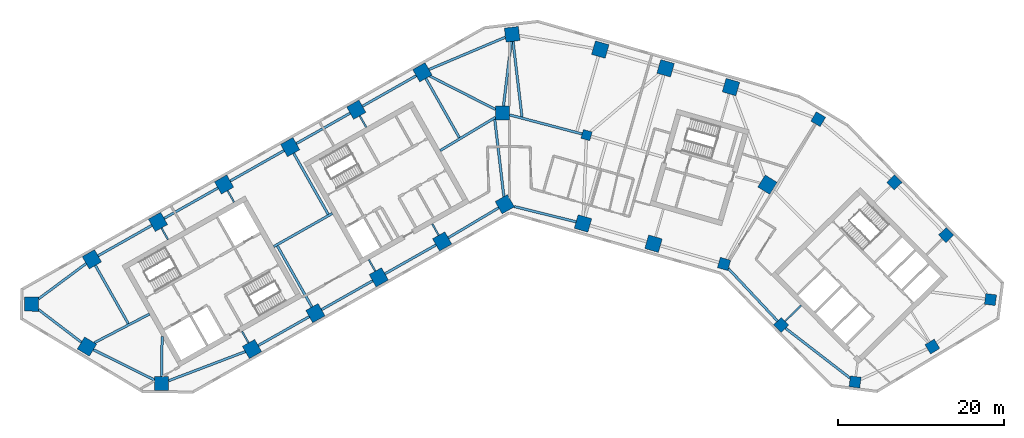
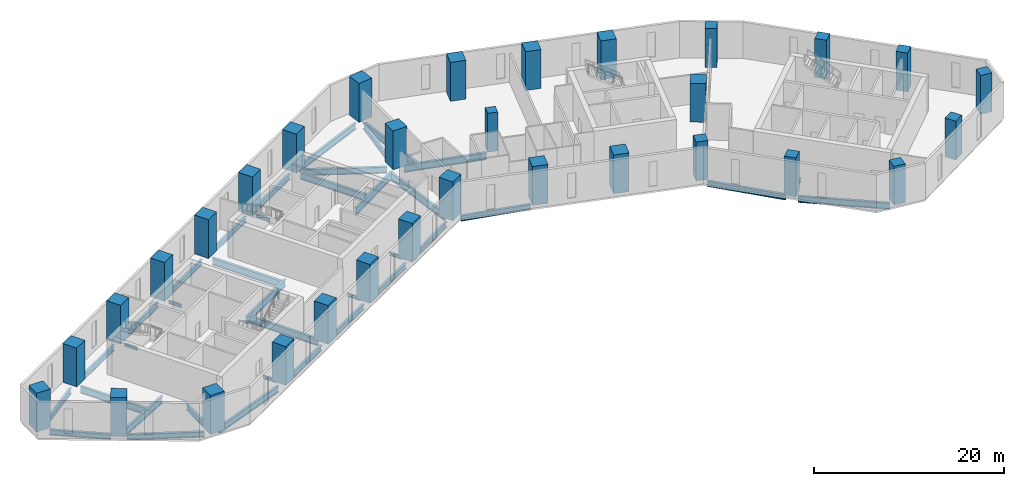
# One storey, part 1 of 10: 37 beams, 31 columns.
"""IFC4 building model written with IfcOpenShell, lengths in metres."""

from ifc_helpers import new_model, si_unit, direction, frame, origin, origin_2d, place, context, subcontext, project, spatial, rectangle, i_section, extrude, material, material_profile, profile_set, type_object, element, save


model = new_model("IFC4")

# Units and contexts
model_context = context("Model", 3, precision=1e-05, world=origin(), true_north=direction((0.0, 1.0)))
body_context = subcontext(model_context, "Body", "Model", "MODEL_VIEW")
ifc_project = project(units=[si_unit("LENGTHUNIT", "METRE"), si_unit("AREAUNIT", "SQUARE_METRE"), si_unit("VOLUMEUNIT", "CUBIC_METRE"), si_unit("PLANEANGLEUNIT", "RADIAN"), si_unit("MASSUNIT", "GRAM", prefix="KILO")], contexts=[model_context])

# Site, building, storey
site_placement = place(None, origin())
site = spatial("IfcSite", under=ifc_project, at=site_placement, CompositionType="ELEMENT")
building_placement = place(site_placement, origin())
building = spatial("IfcBuilding", under=site, at=building_placement, Name="Binnacle Exchange Tower", CompositionType="ELEMENT")
storey_placement = place(building_placement, frame((0.0, 0.0, 31.5)))
storey = spatial("IfcBuildingStorey", under=building, at=storey_placement, Name="L06", CompositionType="ELEMENT", Elevation=31.5)

# Columns
ifc_material_1 = material(Name="Concrete C60/75", Category="concrete")
ifc_material_profile_1 = material_profile(ifc_material_1, rectangle(XDim=1.10009765625, YDim=1.10009765625, at=origin_2d()), Name="Column 1100x1100 C60/75")
ifc_profile_set_1 = profile_set([ifc_material_profile_1], Name="Concrete C60/75")
column_type_1 = type_object("IfcColumnType", Name="Column 1100x1100 C60/75", PredefinedType="COLUMN", material=ifc_profile_set_1)
column_placement = place(storey_placement, frame((9.240966796875, 57.35009765625, 0.0), z_axis=(0.0, 0.0, 1.0), x_axis=(0.961261695938, -0.275637355817, 0.0)))
element("IfcColumn", 1, at=column_placement, inside=storey, type_object=column_type_1, Name="S:COL:C19:L06", PredefinedType="COLUMN", context=body_context, shape_type="SweptSolid", body=[
    extrude(rectangle(XDim=1.10009765625, YDim=1.10009765625, at=origin_2d()), origin(), (0.0, 0.0, 1.0), 5.0),
])
ifc_material_2 = material(Name="Concrete C70/85", Category="concrete")
ifc_material_profile_2 = material_profile(ifc_material_2, rectangle(XDim=1.300048828125, YDim=1.300048828125, at=origin_2d()), Name="Mega column 1300x1300 C70/85")
ifc_profile_set_2 = profile_set([ifc_material_profile_2], Name="Concrete C70/85")
column_type_2 = type_object("IfcColumnType", Name="Mega column 1300x1300 C70/85", PredefinedType="COLUMN", material=ifc_profile_set_2)
for number, where, z_axis, x_axis, name in (
    (2, (37.0849609375, 59.262451171875, 0.0), (0.0, 0.0, 1.0), (-0.859406411501, 0.511293086077, 0.0), "S:COL:MC57:L06"),
    (3, (25.766845703125, 41.85986328125, 0.0), (0.0, 0.0, 1.0), (0.961261695938, -0.275637355817, 0.0), "S:COL:MC56:L06"),
    (4, (32.64111328125, 34.530029296875, 0.0), (0.0, 0.0, 1.0), (0.7009092643, -0.713250449154, 0.0), "S:COL:MC59:L06"),
    (5, (41.519775390625, 27.6748046875, 0.0), (0.0, 0.0, 1.0), (0.99200494968, -0.126198969136, 0.0), "S:COL:MC61:L06"),
    (6, (50.81201171875, 31.930908203125, 0.0), (0.0, 0.0, 1.0), (0.857167300702, 0.51503807491, 0.0), "S:COL:MC63:L06"),
    (7, (57.799072265625, 37.5810546875, 0.0), (0.0, 0.0, 1.0), (0.126198969136, 0.99200494968, 0.0), "S:COL:MC62:L06"),
    (8, (52.466796875, 45.33935546875, 0.0), (0.0, 0.0, 1.0), (-0.7009092643, 0.713250449154, 0.0), "S:COL:MC60:L06"),
    (9, (46.248291015625, 51.667236328125, 0.0), (0.0, 0.0, 1.0), (-0.7009092643, 0.713250449154, 0.0), "S:COL:MC58:L06"),
):
    element("IfcColumn", number, at=place(storey_placement, frame(where, z_axis=z_axis, x_axis=x_axis)), inside=storey, type_object=column_type_2, Name=name, PredefinedType="COLUMN", context=body_context, shape_type="SweptSolid", body=[
        extrude(rectangle(XDim=1.300048828125, YDim=1.300048828125, at=origin_2d()), origin(), (0.0, 0.0, 1.0), 5.0),
    ])
ifc_material_profile_3 = material_profile(ifc_material_2, rectangle(XDim=1.699951171875, YDim=1.699951171875, at=origin_2d()), Name="Mega column 1700x1700 C70/85")
ifc_profile_set_3 = profile_set([ifc_material_profile_3], Name="Concrete C70/85")
column_type_3 = type_object("IfcColumnType", Name="Mega column 1700x1700 C70/85", PredefinedType="COLUMN", material=ifc_profile_set_3)
for number, where, z_axis, x_axis, name in (
    (10, (26.602783203125, 63.12353515625, 0.0), (0.0, 0.0, 1.0), (-0.961261695938, 0.275637355817, 0.0), "S:COL:MC52:L06"),
    (11, (18.746337890625, 65.376220703125, 0.0), (0.0, 0.0, 1.0), (-0.961261695938, 0.275637355817, 0.0), "S:COL:MC50:L06"),
    (12, (10.889892578125, 67.62890625, 0.0), (0.0, 0.0, 1.0), (-0.961261695938, 0.275637355817, 0.0), "S:COL:MC48:L06"),
    (13, (0.300048828125, 69.464111328125, 0.0), (0.0, 0.0, 1.0), (-0.993068456955, -0.117537397458, 0.0), "S:COL:MC47:L06"),
    (14, (-10.4951171875, 64.901611328125, 0.0), (0.0, 0.0, 1.0), (-0.87035569594, -0.492423560103, 0.0), "S:COL:MC38:L06"),
    (15, (-18.44140625, 60.406005859375, 0.0), (0.0, 0.0, 1.0), (-0.87035569594, -0.492423560103, 0.0), "S:COL:MC29:L06"),
    (16, (-26.3876953125, 55.91015625, 0.0), (0.0, 0.0, 1.0), (-0.87035569594, -0.492423560103, 0.0), "S:COL:MC21:L06"),
    (17, (-34.333740234375, 51.414306640625, 0.0), (0.0, 0.0, 1.0), (-0.87035569594, -0.492423560103, 0.0), "S:COL:MC13:L06"),
    (18, (-42.280029296875, 46.918701171875, 0.0), (0.0, 0.0, 1.0), (-0.87035569594, -0.492423560103, 0.0), "S:COL:MC08:L06"),
    (19, (-50.226318359375, 42.4228515625, 0.0), (0.0, 0.0, 1.0), (-0.87035569594, -0.492423560103, 0.0), "S:COL:MC04:L06"),
    (20, (-57.492919921875, 37.02734375, 0.0), (0.0, 0.0, 1.0), (-0.013089595571, -0.999914327574, 0.0), "S:COL:MC02:L06"),
    (21, (-50.81201171875, 31.930908203125, 0.0), (0.0, 0.0, 1.0), (0.857167300702, -0.51503807491, 0.0), "S:COL:MC01:L06"),
    (22, (-41.857666015625, 27.494873046875, 0.0), (0.0, 0.0, 1.0), (0.999914327574, -0.013089595571, 0.0), "S:COL:MC03:L06"),
    (23, (-30.9755859375, 31.63525390625, 0.0), (0.0, 0.0, 1.0), (0.87035569594, 0.492423560103, 0.0), "S:COL:MC07:L06"),
    (24, (-23.35595703125, 35.9462890625, 0.0), (0.0, 0.0, 1.0), (0.87035569594, 0.492423560103, 0.0), "S:COL:MC16:L06"),
    (25, (-15.736328125, 40.257080078125, 0.0), (0.0, 0.0, 1.0), (0.87035569594, 0.492423560103, 0.0), "S:COL:MC24:L06"),
    (26, (-8.116943359375, 44.568115234375, 0.0), (0.0, 0.0, 1.0), (0.87035569594, 0.492423560103, 0.0), "S:COL:MC35:L06"),
    (27, (-0.5908203125, 49.04443359375, 0.0), (0.0, 0.0, 1.0), (0.87035569594, 0.492423560103, 0.0), "S:COL:MC46:L06"),
    (28, (8.8095703125, 46.722412109375, 0.0), (0.0, 0.0, 1.0), (0.961261695938, -0.275637355817, 0.0), "S:COL:MC49:L06"),
    (29, (17.2880859375, 44.291015625, 0.0), (0.0, 0.0, 1.0), (0.961261695938, -0.275637355817, 0.0), "S:COL:MC51:L06"),
    (30, (30.989501953125, 51.38623046875, 0.0), (0.0, 0.0, 1.0), (0.529919264233, 0.848048096156, 0.0), "S:COL:MC55:L06"),
    (31, (-0.85009765625, 60.0, 0.0), (0.0, 0.0, 1.0), (0.0, 1.0, 0.0), "S:COL:MC45:L06"),
):
    element("IfcColumn", number, at=place(storey_placement, frame(where, z_axis=z_axis, x_axis=x_axis)), inside=storey, type_object=column_type_3, Name=name, PredefinedType="COLUMN", context=body_context, shape_type="SweptSolid", body=[
        extrude(rectangle(XDim=1.699951171875, YDim=1.699951171875, at=origin_2d()), origin(), (0.0, 0.0, 1.0), 5.0),
    ])

# Beams
ifc_material_3 = material(Name="Steel S355 (SHN355)", Category="steel")
ifc_material_profile_4 = material_profile(ifc_material_3, i_section(OverallWidth=0.300048828125, OverallDepth=0.699951171875, WebThickness=0.012939453125, FlangeThickness=0.02392578125, FilletRadius=0.028076171875, at=origin_2d()), Name="H 700x300x13x24")
ifc_profile_set_4 = profile_set([ifc_material_profile_4], Name="Steel S355 (SHN355)")
beam_type_1 = type_object("IfcBeamType", Name="Edge girder H 700x300x13x24 Steel S355 (SHN355)", PredefinedType="SPANDREL", material=ifc_profile_set_4)
beam_1_placement = place(storey_placement, frame((-56.6513671875, 36.38525390625, -0.669921875), z_axis=(0.795093040263, -0.606487474994, 0.0), x_axis=(0.606487474994, 0.795093040263, 0.0)))
element("IfcBeam", 32, at=beam_1_placement, inside=storey, type_object=beam_type_1, Name="S:BM:edge:L06:015", PredefinedType="SPANDREL", context=body_context, shape_type="SweptSolid", body=[
    extrude(i_section(OverallWidth=0.300048828125, OverallDepth=0.699951171875, WebThickness=0.012939453125, FlangeThickness=0.02392578125, FilletRadius=0.028076171875, at=origin_2d()), origin(), (0.0, 0.0, 1.0), 6.489013671875),
])
beam_2_placement = place(storey_placement, frame((-50.913818359375, 41.912353515625, -0.669921875), z_axis=(-0.80288535334, -0.59613346609, 0.0), x_axis=(0.59613346609, -0.80288535334, 0.0)))
element("IfcBeam", 33, at=beam_2_placement, inside=storey, type_object=beam_type_1, Name="S:BM:edge:L06:016", PredefinedType="SPANDREL", context=body_context, shape_type="SweptSolid", body=[
    extrude(i_section(OverallWidth=0.300048828125, OverallDepth=0.699951171875, WebThickness=0.012939453125, FlangeThickness=0.02392578125, FilletRadius=0.028076171875, at=origin_2d()), origin(), (0.0, 0.0, 1.0), 7.125244140625),
])
beam_3_placement = place(storey_placement, frame((-43.019775390625, 46.5, -0.669921875), z_axis=(-0.870364477798, -0.492408037898, 0.0), x_axis=(0.492408037898, -0.870364477798, 0.0)))
element("IfcBeam", 34, at=beam_3_placement, inside=storey, type_object=beam_type_1, Name="S:BM:edge:L06:018", PredefinedType="SPANDREL", context=body_context, shape_type="SweptSolid", body=[
    extrude(i_section(OverallWidth=0.300048828125, OverallDepth=0.699951171875, WebThickness=0.012939453125, FlangeThickness=0.02392578125, FilletRadius=0.028076171875, at=origin_2d()), origin(), (0.0, 0.0, 1.0), 7.4296875),
])
beam_4_placement = place(storey_placement, frame((-35.073486328125, 50.995849609375, -0.669921875), z_axis=(-0.870372444894, -0.492393955253, 0.0), x_axis=(0.492393955253, -0.870372444894, 0.0)))
element("IfcBeam", 35, at=beam_4_placement, inside=storey, type_object=beam_type_1, Name="S:BM:edge:L06:020", PredefinedType="SPANDREL", context=body_context, shape_type="SweptSolid", body=[
    extrude(i_section(OverallWidth=0.300048828125, OverallDepth=0.699951171875, WebThickness=0.012939453125, FlangeThickness=0.02392578125, FilletRadius=0.028076171875, at=origin_2d()), origin(), (0.0, 0.0, 1.0), 7.429931640625),
])
beam_5_placement = place(storey_placement, frame((-30.23583984375, 32.053955078125, -0.669921875), z_axis=(0.870373276953, 0.492392484473, 0.0), x_axis=(-0.492392484473, 0.870373276953, 0.0)))
element("IfcBeam", 36, at=beam_5_placement, inside=storey, type_object=beam_type_1, Name="S:BM:edge:L06:021", PredefinedType="SPANDREL", context=body_context, shape_type="SweptSolid", body=[
    extrude(i_section(OverallWidth=0.300048828125, OverallDepth=0.699951171875, WebThickness=0.012939453125, FlangeThickness=0.02392578125, FilletRadius=0.028076171875, at=origin_2d()), origin(), (0.0, 0.0, 1.0), 7.0546875),
])
beam_6_placement = place(storey_placement, frame((-27.12744140625, 55.49169921875, -0.669921875), z_axis=(-0.870350394687, -0.492432929919, 0.0), x_axis=(0.492432929919, -0.870350394687, 0.0)))
element("IfcBeam", 37, at=beam_6_placement, inside=storey, type_object=beam_type_1, Name="S:BM:edge:L06:022", PredefinedType="SPANDREL", context=body_context, shape_type="SweptSolid", body=[
    extrude(i_section(OverallWidth=0.300048828125, OverallDepth=0.699951171875, WebThickness=0.012939453125, FlangeThickness=0.02392578125, FilletRadius=0.028076171875, at=origin_2d()), origin(), (0.0, 0.0, 1.0), 7.429931640625),
])
beam_7_placement = place(storey_placement, frame((-22.6162109375, 36.36474609375, -0.669921875), z_axis=(0.870350053651, 0.492433532681, 0.0), x_axis=(-0.492433532681, 0.870350053651, 0.0)))
element("IfcBeam", 38, at=beam_7_placement, inside=storey, type_object=beam_type_1, Name="S:BM:edge:L06:023", PredefinedType="SPANDREL", context=body_context, shape_type="SweptSolid", body=[
    extrude(i_section(OverallWidth=0.300048828125, OverallDepth=0.699951171875, WebThickness=0.012939453125, FlangeThickness=0.02392578125, FilletRadius=0.028076171875, at=origin_2d()), origin(), (0.0, 0.0, 1.0), 7.054443359375),
])
beam_8_placement = place(storey_placement, frame((-19.18115234375, 59.9873046875, -0.669921875), z_axis=(-0.870364477798, -0.492408037898, 0.0), x_axis=(0.492408037898, -0.870364477798, 0.0)))
element("IfcBeam", 39, at=beam_8_placement, inside=storey, type_object=beam_type_1, Name="S:BM:edge:L06:024", PredefinedType="SPANDREL", context=body_context, shape_type="SweptSolid", body=[
    extrude(i_section(OverallWidth=0.300048828125, OverallDepth=0.699951171875, WebThickness=0.012939453125, FlangeThickness=0.02392578125, FilletRadius=0.028076171875, at=origin_2d()), origin(), (0.0, 0.0, 1.0), 7.4296875),
])
beam_9_placement = place(storey_placement, frame((-14.99658203125, 40.67578125, -0.669921875), z_axis=(0.870364886025, 0.492407316329, 0.0), x_axis=(-0.492407316329, 0.870364886025, 0.0)))
element("IfcBeam", 40, at=beam_9_placement, inside=storey, type_object=beam_type_1, Name="S:BM:edge:L06:025", PredefinedType="SPANDREL", context=body_context, shape_type="SweptSolid", body=[
    extrude(i_section(OverallWidth=0.300048828125, OverallDepth=0.699951171875, WebThickness=0.012939453125, FlangeThickness=0.02392578125, FilletRadius=0.028076171875, at=origin_2d()), origin(), (0.0, 0.0, 1.0), 7.054443359375),
])
beam_10_placement = place(storey_placement, frame((-11.23486328125, 64.483154296875, -0.669921875), z_axis=(-0.870364477798, -0.492408037898, 0.0), x_axis=(0.492408037898, -0.870364477798, 0.0)))
element("IfcBeam", 41, at=beam_10_placement, inside=storey, type_object=beam_type_1, Name="S:BM:edge:L06:026", PredefinedType="SPANDREL", context=body_context, shape_type="SweptSolid", body=[
    extrude(i_section(OverallWidth=0.300048828125, OverallDepth=0.699951171875, WebThickness=0.012939453125, FlangeThickness=0.02392578125, FilletRadius=0.028076171875, at=origin_2d()), origin(), (0.0, 0.0, 1.0), 7.4296875),
])
beam_11_placement = place(storey_placement, frame((-7.38623046875, 45.002685546875, -0.669921875), z_axis=(0.859464815262, 0.511194905419, 0.0), x_axis=(-0.511194905419, 0.859464815262, 0.0)))
element("IfcBeam", 42, at=beam_11_placement, inside=storey, type_object=beam_type_1, Name="S:BM:edge:L06:027", PredefinedType="SPANDREL", context=body_context, shape_type="SweptSolid", body=[
    extrude(i_section(OverallWidth=0.300048828125, OverallDepth=0.699951171875, WebThickness=0.012939453125, FlangeThickness=0.02392578125, FilletRadius=0.028076171875, at=origin_2d()), origin(), (0.0, 0.0, 1.0), 7.056396484375),
])
beam_12_placement = place(storey_placement, frame((0.54443359375, 48.763916015625, -0.669921875), z_axis=(0.970818997342, -0.239813415805, 0.0), x_axis=(0.239813415805, 0.970818997342, 0.0)))
element("IfcBeam", 43, at=beam_12_placement, inside=storey, type_object=beam_type_1, Name="S:BM:edge:L06:029", PredefinedType="SPANDREL", context=body_context, shape_type="SweptSolid", body=[
    extrude(i_section(OverallWidth=0.300048828125, OverallDepth=0.699951171875, WebThickness=0.012939453125, FlangeThickness=0.02392578125, FilletRadius=0.028076171875, at=origin_2d()), origin(), (0.0, 0.0, 1.0), 7.662841796875),
])
ifc_material_profile_5 = material_profile(ifc_material_3, i_section(OverallWidth=0.302001953125, OverallDepth=0.7080078125, WebThickness=0.014892578125, FlangeThickness=0.028076171875, FilletRadius=0.028076171875, at=origin_2d()), Name="H 708x302x15x28")
ifc_profile_set_5 = profile_set([ifc_material_profile_5], Name="Steel S355 (SHN355)")
beam_type_2 = type_object("IfcBeamType", Name="Edge girder H 708x302x15x28 Steel S355 (SHN355)", PredefinedType="SPANDREL", material=ifc_profile_set_5)
beam_13_placement = place(storey_placement, frame((-50.0478515625, 31.55224609375, -0.674072265625), z_axis=(0.896059216286, -0.443934545749, 0.0), x_axis=(0.443934545749, 0.896059216286, 0.0)))
element("IfcBeam", 44, at=beam_13_placement, inside=storey, type_object=beam_type_2, Name="S:BM:edge:L06:017", PredefinedType="SPANDREL", context=body_context, shape_type="SweptSolid", body=[
    extrude(i_section(OverallWidth=0.302001953125, OverallDepth=0.7080078125, WebThickness=0.014892578125, FlangeThickness=0.028076171875, FilletRadius=0.028076171875, at=origin_2d()), origin(), (0.0, 0.0, 1.0), 8.197509765625),
])
beam_14_placement = place(storey_placement, frame((26.284912109375, 41.3076171875, -0.674072265625), z_axis=(0.684056711164, -0.729428828544, 0.0), x_axis=(0.729428828544, 0.684056711164, 0.0)))
element("IfcBeam", 45, at=beam_14_placement, inside=storey, type_object=beam_type_2, Name="S:BM:edge:L06:035", PredefinedType="SPANDREL", context=body_context, shape_type="SweptSolid", body=[
    extrude(i_section(OverallWidth=0.302001953125, OverallDepth=0.7080078125, WebThickness=0.014892578125, FlangeThickness=0.028076171875, FilletRadius=0.028076171875, at=origin_2d()), origin(), (0.0, 0.0, 1.0), 8.6416015625),
])
ifc_material_profile_6 = material_profile(ifc_material_3, i_section(OverallWidth=0.302001953125, OverallDepth=0.80810546875, WebThickness=0.01611328125, FlangeThickness=0.030029296875, FilletRadius=0.028076171875, at=origin_2d()), Name="H 808x302x16x30")
ifc_profile_set_6 = profile_set([ifc_material_profile_6], Name="Steel S355 (SHN355)")
beam_type_3 = type_object("IfcBeamType", Name="Edge girder H 808x302x16x30 Steel S355 (SHN355)", PredefinedType="SPANDREL", material=ifc_profile_set_6)
beam_15_placement = place(storey_placement, frame((-41.00341796875, 27.81982421875, -0.72412109375), z_axis=(0.934628738252, 0.355624973297, 0.0), x_axis=(-0.355624973297, 0.934628738252, 0.0)))
element("IfcBeam", 46, at=beam_15_placement, inside=storey, type_object=beam_type_3, Name="S:BM:edge:L06:019", PredefinedType="SPANDREL", context=body_context, shape_type="SweptSolid", body=[
    extrude(i_section(OverallWidth=0.302001953125, OverallDepth=0.80810546875, WebThickness=0.01611328125, FlangeThickness=0.030029296875, FilletRadius=0.028076171875, at=origin_2d()), origin(), (0.0, 0.0, 1.0), 9.869384765625),
])
beam_16_placement = place(storey_placement, frame((-0.51513671875, 69.11962890625, -0.72412109375), z_axis=(-0.921111373297, -0.389299162578, 0.0), x_axis=(0.389299162578, -0.921111373297, 0.0)))
element("IfcBeam", 47, at=beam_16_placement, inside=storey, type_object=beam_type_3, Name="S:BM:edge:L06:028", PredefinedType="SPANDREL", context=body_context, shape_type="SweptSolid", body=[
    extrude(i_section(OverallWidth=0.302001953125, OverallDepth=0.80810546875, WebThickness=0.01611328125, FlangeThickness=0.030029296875, FilletRadius=0.028076171875, at=origin_2d()), origin(), (0.0, 0.0, 1.0), 9.978759765625),
])
beam_17_placement = place(storey_placement, frame((33.160400390625, 34.12890625, -0.72412109375), z_axis=(0.791533490776, -0.611125791454, 0.0), x_axis=(0.611125791454, 0.791533490776, 0.0)))
element("IfcBeam", 48, at=beam_17_placement, inside=storey, type_object=beam_type_3, Name="S:BM:edge:L06:036", PredefinedType="SPANDREL", context=body_context, shape_type="SweptSolid", body=[
    extrude(i_section(OverallWidth=0.302001953125, OverallDepth=0.80810546875, WebThickness=0.01611328125, FlangeThickness=0.030029296875, FilletRadius=0.028076171875, at=origin_2d()), origin(), (0.0, 0.0, 1.0), 9.80712890625),
])
ifc_material_profile_7 = material_profile(ifc_material_3, i_section(OverallWidth=0.199951171875, OverallDepth=0.39990234375, WebThickness=0.008056640625, FlangeThickness=0.012939453125, FilletRadius=0.01611328125, at=origin_2d()), Name="H 400x200x8x13")
ifc_profile_set_7 = profile_set([ifc_material_profile_7], Name="Steel S355 (SHN355)")
beam_type_4 = type_object("IfcBeamType", Name="Floor beam H 400x200x8x13 Steel S355 (SHN355)", PredefinedType="BEAM", material=ifc_profile_set_7)
beam_18_placement = place(storey_placement, frame((-41.861328125, 46.178955078125, -0.52001953125), z_axis=(0.492366981934, -0.870387703901, 0.0), x_axis=(0.870387703901, 0.492366981934, 0.0)))
element("IfcBeam", 49, at=beam_18_placement, inside=storey, type_object=beam_type_4, Name="S:BM:cross:L06:044", PredefinedType="BEAM", context=body_context, shape_type="SweptSolid", body=[
    extrude(i_section(OverallWidth=0.199951171875, OverallDepth=0.39990234375, WebThickness=0.008056640625, FlangeThickness=0.012939453125, FilletRadius=0.01611328125, at=origin_2d()), origin(), (0.0, 0.0, 1.0), 1.584228515625),
])
beam_19_placement = place(storey_placement, frame((-33.915283203125, 50.674560546875, -0.52001953125), z_axis=(0.492483715062, -0.870321659158, 0.0), x_axis=(0.870321659158, 0.492483715062, 0.0)))
element("IfcBeam", 50, at=beam_19_placement, inside=storey, type_object=beam_type_4, Name="S:BM:cross:L06:046", PredefinedType="BEAM", context=body_context, shape_type="SweptSolid", body=[
    extrude(i_section(OverallWidth=0.199951171875, OverallDepth=0.39990234375, WebThickness=0.008056640625, FlangeThickness=0.012939453125, FilletRadius=0.01611328125, at=origin_2d()), origin(), (0.0, 0.0, 1.0), 1.58447265625),
])
for number, where, z_axis, x_axis, name in (
    (51, (-31.394287109375, 32.375, -0.52001953125), (-0.492366981934, 0.870387703901, 0.0), (-0.870387703901, -0.492366981934, 0.0), "S:BM:cross:L06:047"),
    (52, (-18.022705078125, 59.666259765625, -0.52001953125), (0.492366981934, -0.870387703901, 0.0), (0.870387703901, 0.492366981934, 0.0), "S:BM:cross:L06:050"),
    (53, (-16.155029296875, 40.9970703125, -0.52001953125), (-0.492366981934, 0.870387703901, 0.0), (-0.870387703901, -0.492366981934, 0.0), "S:BM:cross:L06:051"),
):
    element("IfcBeam", number, at=place(storey_placement, frame(where, z_axis=z_axis, x_axis=x_axis)), inside=storey, type_object=beam_type_4, Name=name, PredefinedType="BEAM", context=body_context, shape_type="SweptSolid", body=[
        extrude(i_section(OverallWidth=0.199951171875, OverallDepth=0.39990234375, WebThickness=0.008056640625, FlangeThickness=0.012939453125, FilletRadius=0.01611328125, at=origin_2d()), origin(), (0.0, 0.0, 1.0), 1.584228515625),
    ])
beam_20_placement = place(storey_placement, frame((-8.535400390625, 45.307861328125, -0.52001953125), z_axis=(-0.492483715062, 0.870321659158, 0.0), x_axis=(-0.870321659158, -0.492483715062, 0.0)))
element("IfcBeam", 54, at=beam_20_placement, inside=storey, type_object=beam_type_4, Name="S:BM:cross:L06:053", PredefinedType="BEAM", context=body_context, shape_type="SweptSolid", body=[
    extrude(i_section(OverallWidth=0.199951171875, OverallDepth=0.39990234375, WebThickness=0.008056640625, FlangeThickness=0.012939453125, FilletRadius=0.01611328125, at=origin_2d()), origin(), (0.0, 0.0, 1.0), 1.58447265625),
])
ifc_material_profile_8 = material_profile(ifc_material_3, i_section(OverallWidth=0.199951171875, OverallDepth=0.449951171875, WebThickness=0.009033203125, FlangeThickness=0.013916015625, FilletRadius=0.01806640625, at=origin_2d()), Name="H 450x200x9x14")
ifc_profile_set_8 = profile_set([ifc_material_profile_8], Name="Steel S355 (SHN355)")
beam_type_5 = type_object("IfcBeamType", Name="Floor beam H 450x200x9x14 Steel S355 (SHN355)", PredefinedType="BEAM", material=ifc_profile_set_8)
beam_21_placement = place(storey_placement, frame((33.104736328125, 34.985595703125, -0.544921875), z_axis=(0.713254209224, 0.700905438004, 0.0), x_axis=(-0.700905438004, 0.713254209224, 0.0)))
element("IfcBeam", 55, at=beam_21_placement, inside=storey, type_object=beam_type_5, Name="S:BM:cross:L06:061", PredefinedType="BEAM", context=body_context, shape_type="SweptSolid", body=[
    extrude(i_section(OverallWidth=0.199951171875, OverallDepth=0.449951171875, WebThickness=0.009033203125, FlangeThickness=0.013916015625, FilletRadius=0.01806640625, at=origin_2d()), origin(), (0.0, 0.0, 1.0), 2.70849609375),
])
ifc_material_profile_9 = material_profile(ifc_material_3, i_section(OverallWidth=0.300048828125, OverallDepth=0.699951171875, WebThickness=0.012939453125, FlangeThickness=0.02392578125, FilletRadius=0.028076171875, at=origin_2d()), Name="H 700x300x13x24")
ifc_profile_set_9 = profile_set([ifc_material_profile_9], Name="Steel S355 (SHN355)")
beam_type_6 = type_object("IfcBeamType", Name="Floor beam H 700x300x13x24 Steel S355 (SHN355)", PredefinedType="BEAM", material=ifc_profile_set_9)
beam_22_placement = place(storey_placement, frame((-41.8466796875, 28.3447265625, -0.669921875), z_axis=(0.013120628196, 0.999913920853, 0.0), x_axis=(-0.999913920853, 0.013120628196, 0.0)))
element("IfcBeam", 56, at=beam_22_placement, inside=storey, type_object=beam_type_6, Name="S:BM:cross:L06:045", PredefinedType="BEAM", context=body_context, shape_type="SweptSolid", body=[
    extrude(i_section(OverallWidth=0.300048828125, OverallDepth=0.699951171875, WebThickness=0.012939453125, FlangeThickness=0.02392578125, FilletRadius=0.028076171875, at=origin_2d()), origin(), (0.0, 0.0, 1.0), 4.80078125),
])
ifc_material_profile_10 = material_profile(ifc_material_3, i_section(OverallWidth=0.300048828125, OverallDepth=0.89990234375, WebThickness=0.01611328125, FlangeThickness=0.028076171875, FilletRadius=0.028076171875, at=origin_2d()), Name="H 900x300x16x28")
ifc_profile_set_10 = profile_set([ifc_material_profile_10], Name="Steel S355 (SHN355)")
beam_type_7 = type_object("IfcBeamType", Name="Floor beam H 900x300x16x28 Steel S355 (SHN355)", PredefinedType="BEAM", material=ifc_profile_set_10)
beam_23_placement = place(storey_placement, frame((-49.8076171875, 41.68310546875, -0.77001953125), z_axis=(0.492423370769, -0.87035580306, 0.0), x_axis=(0.87035580306, 0.492423370769, 0.0)))
element("IfcBeam", 57, at=beam_23_placement, inside=storey, type_object=beam_type_7, Name="S:BM:cross:L06:043", PredefinedType="BEAM", context=body_context, shape_type="SweptSolid", body=[
    extrude(i_section(OverallWidth=0.300048828125, OverallDepth=0.89990234375, WebThickness=0.01611328125, FlangeThickness=0.028076171875, FilletRadius=0.028076171875, at=origin_2d()), origin(), (0.0, 0.0, 1.0), 8.041259765625),
])
beam_24_placement = place(storey_placement, frame((-10.076416015625, 64.161865234375, -0.77001953125), z_axis=(0.492410737926, -0.870362950254, 0.0), x_axis=(0.870362950254, 0.492410737926, 0.0)))
element("IfcBeam", 58, at=beam_24_placement, inside=storey, type_object=beam_type_7, Name="S:BM:cross:L06:052", PredefinedType="BEAM", context=body_context, shape_type="SweptSolid", body=[
    extrude(i_section(OverallWidth=0.300048828125, OverallDepth=0.89990234375, WebThickness=0.01611328125, FlangeThickness=0.028076171875, FilletRadius=0.028076171875, at=origin_2d()), origin(), (0.0, 0.0, 1.0), 8.16943359375),
])
ifc_material_profile_11 = material_profile(ifc_material_3, i_section(OverallWidth=0.302001953125, OverallDepth=0.912109375, WebThickness=0.01806640625, FlangeThickness=0.033935546875, FilletRadius=0.028076171875, at=origin_2d()), Name="H 912x302x18x34")
ifc_profile_set_11 = profile_set([ifc_material_profile_11], Name="Steel S355 (SHN355)")
beam_type_8 = type_object("IfcBeamType", Name="Floor beam H 912x302x18x34 Steel S355 (SHN355)", PredefinedType="BEAM", material=ifc_profile_set_11)
for number, where, z_axis, x_axis, name in (
    (59, (-25.968994140625, 55.17041015625, -0.77587890625), (0.492409177884, -0.870363832851, 0.0), (0.870363832851, 0.492409177884, 0.0), "S:BM:cross:L06:048"),
    (60, (-23.774658203125, 36.68603515625, -0.77587890625), (-0.492409177884, 0.870363832851, 0.0), (-0.870363832851, -0.492409177884, 0.0), "S:BM:cross:L06:049"),
):
    element("IfcBeam", number, at=place(storey_placement, frame(where, z_axis=z_axis, x_axis=x_axis)), inside=storey, type_object=beam_type_8, Name=name, PredefinedType="BEAM", context=body_context, shape_type="SweptSolid", body=[
        extrude(i_section(OverallWidth=0.302001953125, OverallDepth=0.912109375, WebThickness=0.01806640625, FlangeThickness=0.033935546875, FilletRadius=0.028076171875, at=origin_2d()), origin(), (0.0, 0.0, 1.0), 8.43408203125),
    ])
ifc_material_profile_12 = material_profile(ifc_material_3, i_section(OverallWidth=0.302978515625, OverallDepth=0.91796875, WebThickness=0.01904296875, FlangeThickness=0.037109375, FilletRadius=0.028076171875, at=origin_2d()), Name="H 918x303x19x37")
ifc_profile_set_12 = profile_set([ifc_material_profile_12], Name="Steel S355 (SHN355)")
beam_type_9 = type_object("IfcBeamType", Name="Floor beam H 918x303x19x37 Steel S355 (SHN355)", PredefinedType="BEAM", material=ifc_profile_set_12)
beam_25_placement = place(storey_placement, frame((-0.69921875, 49.959716796875, -0.779052734375), z_axis=(-0.117528717449, 0.993069484263, 0.0), x_axis=(-0.993069484263, -0.117528717449, 0.0)))
element("IfcBeam", 61, at=beam_25_placement, inside=storey, type_object=beam_type_9, Name="S:BM:cross:L06:054", PredefinedType="BEAM", context=body_context, shape_type="SweptSolid", body=[
    extrude(i_section(OverallWidth=0.302978515625, OverallDepth=0.91796875, WebThickness=0.01904296875, FlangeThickness=0.037109375, FilletRadius=0.028076171875, at=origin_2d()), origin(), (0.0, 0.0, 1.0), 9.374755859375),
])
beam_26_placement = place(storey_placement, frame((0.39990234375, 68.6201171875, -0.779052734375), z_axis=(0.117562643201, -0.993065468599, 0.0), x_axis=(0.993065468599, 0.117562643201, 0.0)))
element("IfcBeam", 62, at=beam_26_placement, inside=storey, type_object=beam_type_9, Name="S:BM:cross:L06:055", PredefinedType="BEAM", context=body_context, shape_type="SweptSolid", body=[
    extrude(i_section(OverallWidth=0.302978515625, OverallDepth=0.91796875, WebThickness=0.01904296875, FlangeThickness=0.037109375, FilletRadius=0.028076171875, at=origin_2d()), origin(), (0.0, 0.0, 1.0), 9.14990234375),
])
ifc_material_profile_13 = material_profile(ifc_material_3, i_section(OverallWidth=0.302001953125, OverallDepth=0.7080078125, WebThickness=0.014892578125, FlangeThickness=0.028076171875, FilletRadius=0.028076171875, at=origin_2d()), Name="H 708x302x15x28")
ifc_profile_set_13 = profile_set([ifc_material_profile_13], Name="Steel S355 (SHN355)")
beam_type_10 = type_object("IfcBeamType", Name="Spine girder H 708x302x15x28 Steel S355 (SHN355)", PredefinedType="BEAM", material=ifc_profile_set_13)
beam_27_placement = place(storey_placement, frame((-0.74658203125, 60.85009765625, -0.674072265625), z_axis=(0.120621974738, 0.992698513755, 0.0), x_axis=(-0.992698513755, 0.120621974738, 0.0)))
element("IfcBeam", 63, at=beam_27_placement, inside=storey, type_object=beam_type_10, Name="S:BM:spine:L06:005", PredefinedType="BEAM", context=body_context, shape_type="SweptSolid", body=[
    extrude(i_section(OverallWidth=0.302001953125, OverallDepth=0.7080078125, WebThickness=0.014892578125, FlangeThickness=0.028076171875, FilletRadius=0.028076171875, at=origin_2d()), origin(), (0.0, 0.0, 1.0), 7.802490234375),
])
ifc_material_profile_14 = material_profile(ifc_material_3, i_section(OverallWidth=0.302001953125, OverallDepth=0.80810546875, WebThickness=0.01611328125, FlangeThickness=0.030029296875, FilletRadius=0.028076171875, at=origin_2d()), Name="H 808x302x16x30")
ifc_profile_set_14 = profile_set([ifc_material_profile_14], Name="Steel S355 (SHN355)")
beam_type_11 = type_object("IfcBeamType", Name="Spine girder H 808x302x16x30 Steel S355 (SHN355)", PredefinedType="BEAM", material=ifc_profile_set_14)
beam_28_placement = place(storey_placement, frame((-1.699951171875, 60.431884765625, -0.72412109375), z_axis=(-0.891471296315, 0.45307717648, 0.0), x_axis=(-0.45307717648, -0.891471296315, 0.0)))
element("IfcBeam", 64, at=beam_28_placement, inside=storey, type_object=beam_type_11, Name="S:BM:spine:L06:004", PredefinedType="BEAM", context=body_context, shape_type="SweptSolid", body=[
    extrude(i_section(OverallWidth=0.302001953125, OverallDepth=0.80810546875, WebThickness=0.01611328125, FlangeThickness=0.030029296875, FilletRadius=0.028076171875, at=origin_2d()), origin(), (0.0, 0.0, 1.0), 8.845703125),
])
ifc_material_profile_15 = material_profile(ifc_material_3, i_section(OverallWidth=0.300048828125, OverallDepth=0.89990234375, WebThickness=0.01611328125, FlangeThickness=0.028076171875, FilletRadius=0.028076171875, at=origin_2d()), Name="H 900x300x16x28")
ifc_profile_set_15 = profile_set([ifc_material_profile_15], Name="Steel S355 (SHN355)")
beam_type_12 = type_object("IfcBeamType", Name="Spine girder H 900x300x16x28 Steel S355 (SHN355)", PredefinedType="BEAM", material=ifc_profile_set_15)
beam_29_placement = place(storey_placement, frame((-49.927734375, 32.391357421875, -0.77001953125), z_axis=(0.886979965344, 0.461807904954, 0.0), x_axis=(-0.461807904954, 0.886979965344, 0.0)))
element("IfcBeam", 65, at=beam_29_placement, inside=storey, type_object=beam_type_12, Name="S:BM:spine:L06:001", PredefinedType="BEAM", context=body_context, shape_type="SweptSolid", body=[
    extrude(i_section(OverallWidth=0.300048828125, OverallDepth=0.89990234375, WebThickness=0.01611328125, FlangeThickness=0.028076171875, FilletRadius=0.028076171875, at=origin_2d()), origin(), (0.0, 0.0, 1.0), 7.463623046875),
])
beam_30_placement = place(storey_placement, frame((-8.36328125, 55.489990234375, -0.77001953125), z_axis=(0.857393122678, 0.514662057261, 0.0), x_axis=(-0.514662057261, 0.857393122678, 0.0)))
element("IfcBeam", 66, at=beam_30_placement, inside=storey, type_object=beam_type_12, Name="S:BM:spine:L06:003", PredefinedType="BEAM", context=body_context, shape_type="SweptSolid", body=[
    extrude(i_section(OverallWidth=0.300048828125, OverallDepth=0.89990234375, WebThickness=0.01611328125, FlangeThickness=0.028076171875, FilletRadius=0.028076171875, at=origin_2d()), origin(), (0.0, 0.0, 1.0), 7.771728515625),
])
ifc_material_profile_16 = material_profile(ifc_material_3, i_section(OverallWidth=0.302001953125, OverallDepth=0.912109375, WebThickness=0.01806640625, FlangeThickness=0.033935546875, FilletRadius=0.028076171875, at=origin_2d()), Name="H 912x302x18x34")
ifc_profile_set_16 = profile_set([ifc_material_profile_16], Name="Steel S355 (SHN355)")
beam_type_13 = type_object("IfcBeamType", Name="Spine girder H 912x302x18x34 Steel S355 (SHN355)", PredefinedType="BEAM", material=ifc_profile_set_16)
beam_31_placement = place(storey_placement, frame((-28.365478515625, 43.951416015625, -0.77587890625), z_axis=(0.870350319004, 0.492433063684, 0.0), x_axis=(-0.492433063684, 0.870350319004, 0.0)))
element("IfcBeam", 67, at=beam_31_placement, inside=storey, type_object=beam_type_13, Name="S:BM:spine:L06:002", PredefinedType="BEAM", context=body_context, shape_type="SweptSolid", body=[
    extrude(i_section(OverallWidth=0.302001953125, OverallDepth=0.912109375, WebThickness=0.01806640625, FlangeThickness=0.033935546875, FilletRadius=0.028076171875, at=origin_2d()), origin(), (0.0, 0.0, 1.0), 8.0908203125),
])
ifc_material_profile_17 = material_profile(ifc_material_3, i_section(OverallWidth=0.302978515625, OverallDepth=0.91796875, WebThickness=0.01904296875, FlangeThickness=0.037109375, FilletRadius=0.028076171875, at=origin_2d()), Name="H 918x303x19x37")
ifc_profile_set_17 = profile_set([ifc_material_profile_17], Name="Steel S355 (SHN355)")
beam_type_14 = type_object("IfcBeamType", Name="Spine girder H 918x303x19x37 Steel S355 (SHN355)", PredefinedType="BEAM", material=ifc_profile_set_17)
beam_32_placement = place(storey_placement, frame((0.0, 59.77685546875, -0.779052734375), z_axis=(0.967208571477, -0.253983423202, 0.0), x_axis=(0.253983423202, 0.967208571477, 0.0)))
element("IfcBeam", 68, at=beam_32_placement, inside=storey, type_object=beam_type_14, Name="S:BM:spine:L06:006", PredefinedType="BEAM", context=body_context, shape_type="SweptSolid", body=[
    extrude(i_section(OverallWidth=0.302978515625, OverallDepth=0.91796875, WebThickness=0.01904296875, FlangeThickness=0.037109375, FilletRadius=0.028076171875, at=origin_2d()), origin(), (0.0, 0.0, 1.0), 9.00390625),
])

save(model, "model.ifc")
